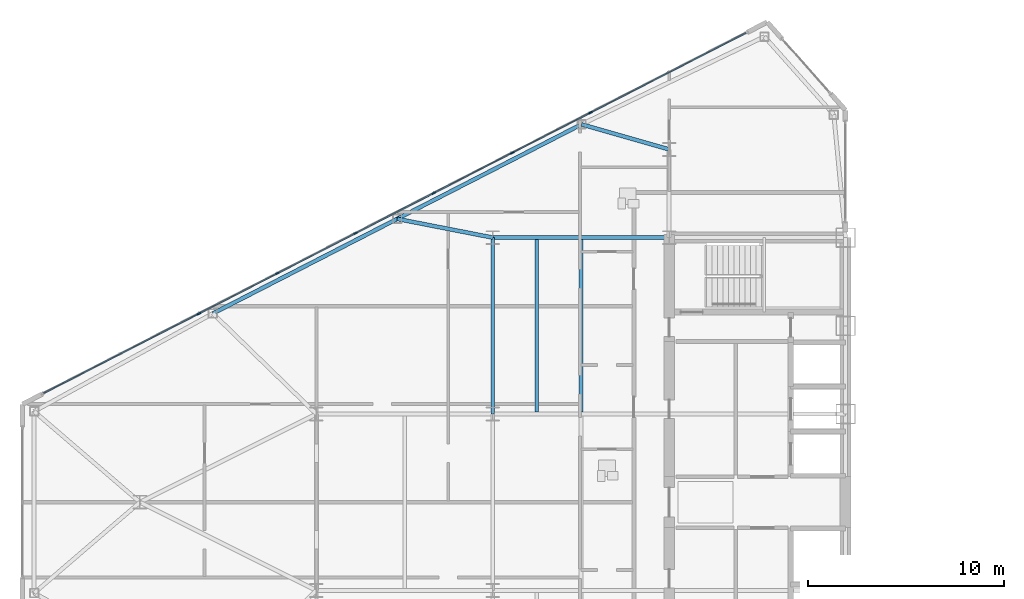
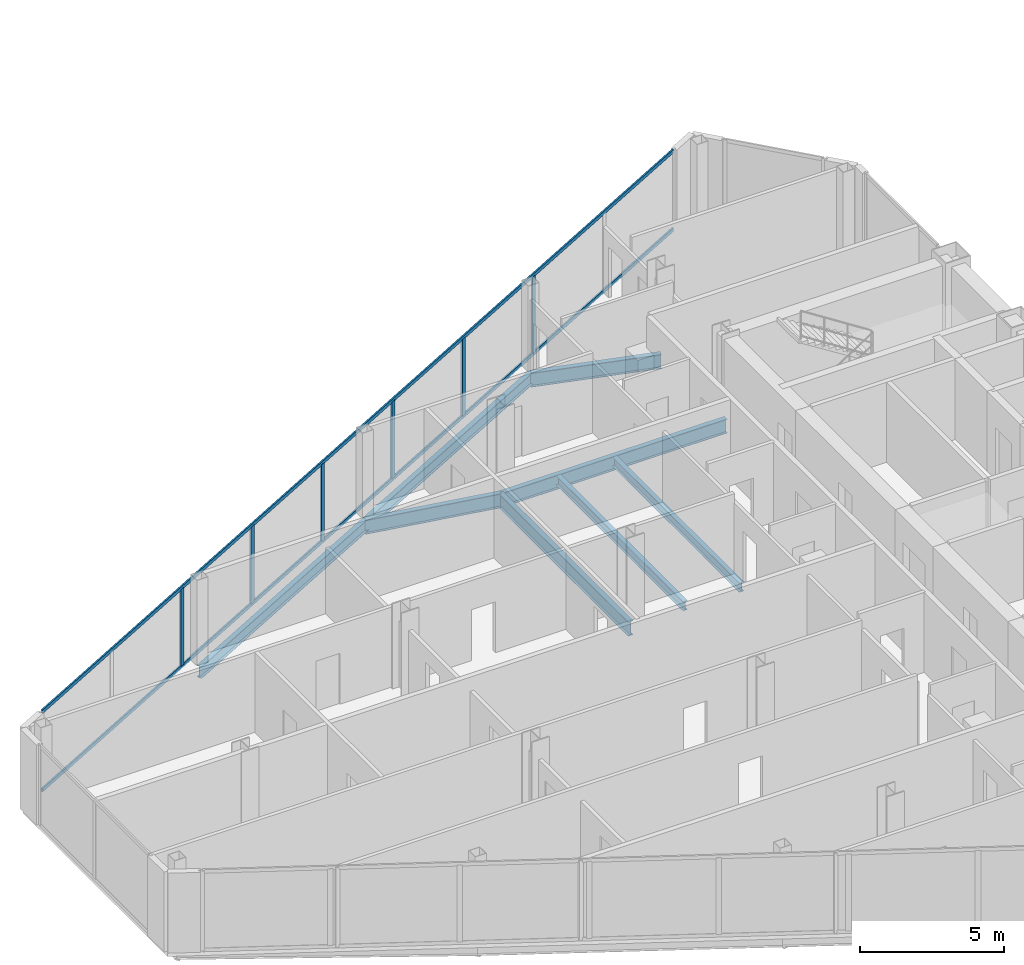
# One storey, part 6 of 24: 8 beams, 8 members, 1 element without a shape of its own.
"""IFC4 building model written with IfcOpenShell, lengths in metres."""

import ifcopenshell
import ifcopenshell.guid

model = None  # the IFC model being written
_history = None  # IfcOwnerHistory: only IFC2X3 demands one
_inside = {}  # id of a spatial element -> (the spatial element, [elements in it])
_under = {}  # id of a project, library or spatial element -> (it, [spatial elements below it])
_declared = {}  # id of a project -> (the project, [libraries it declares])
_typed = {}  # id of a type object -> (the type object, [elements of that type])
_made_of = {}  # id of a material, layer set ... -> (it, [elements and type objects made of it])


def new_model(schema):
    """Start an empty IFC model of exactly this schema.

    Asked for "IFC4X3", IfcOpenShell would pick the latest addendum, in which some entities
    have other attributes; the version numbers below select the first issue.
    IFC2X3 requires an IfcOwnerHistory on every rooted entity: one is made here for all.
    """
    global model, _history
    if schema == "IFC4X3":
        model = ifcopenshell.file(schema_version=(4, 3, 0, 0))
    else:
        model = ifcopenshell.file(schema=schema)
    _inside.clear()
    _under.clear()
    _declared.clear()
    _typed.clear()
    _made_of.clear()
    _history = None
    if model.schema == "IFC2X3":
        org = make("IfcOrganization", Name="unknown")
        user = make(
            "IfcPersonAndOrganization",
            ThePerson=make("IfcPerson", FamilyName="unknown"),
            TheOrganization=org,
        )
        app = make(
            "IfcApplication",
            ApplicationDeveloper=org,
            Version="unknown",
            ApplicationFullName="unknown",
            ApplicationIdentifier="unknown",
        )
        _history = make(
            "IfcOwnerHistory",
            OwningUser=user,
            OwningApplication=app,
            ChangeAction="ADDED",
            CreationDate=0,
        )
    return model


def make(cls, **values):
    """One entity of the class cls with the attributes given. An attribute that is None is left unset."""
    return model.create_entity(
        cls, **{name: value for name, value in values.items() if value is not None}
    )


def rooted(cls, **values):
    """An entity with a GlobalId (a new one), such as an element, a storey or a relation."""
    return make(cls, GlobalId=ifcopenshell.guid.new(), OwnerHistory=_history, **values)


def si_unit(unit_type, name, prefix=None):
    """IfcSIUnit, for example si_unit("LENGTHUNIT", "METRE", prefix="MILLI")."""
    return make("IfcSIUnit", UnitType=unit_type, Prefix=prefix, Name=name)


def assignment(units):
    """IfcUnitAssignment: the units of a project."""
    return None if units is None else make("IfcUnitAssignment", Units=units)


def point(xyz):
    """IfcCartesianPoint."""
    return None if xyz is None else make("IfcCartesianPoint", Coordinates=xyz)


def direction(xyz):
    """IfcDirection."""
    return None if xyz is None else make("IfcDirection", DirectionRatios=xyz)


def frame(location, z_axis=None, x_axis=None):
    """IfcAxis2Placement3D, a coordinate frame: its origin and axes. An axis left out is left unset."""
    return make(
        "IfcAxis2Placement3D",
        Location=point(location),
        Axis=direction(z_axis),
        RefDirection=direction(x_axis),
    )


def frame_2d(location, x_axis=None):
    """IfcAxis2Placement2D, a coordinate frame in the plane: its origin and x axis."""
    return make(
        "IfcAxis2Placement2D", Location=point(location), RefDirection=direction(x_axis)
    )


def origin():
    """The frame at (0, 0, 0) with its axes left unset."""
    return frame((0.0, 0.0, 0.0))


def origin_2d():
    """The frame at (0, 0) in the plane with its x axis left unset."""
    return frame_2d((0.0, 0.0))


def place(relative_to, where):
    """IfcLocalPlacement: puts the frame where relative to a parent placement (None: the world)."""
    return make(
        "IfcLocalPlacement", PlacementRelTo=relative_to, RelativePlacement=where
    )


def context(
    kind, dimensions, precision=None, world=None, true_north=None, identifier=None
):
    """IfcGeometricRepresentationContext, for example the 3D "Model" context."""
    return make(
        "IfcGeometricRepresentationContext",
        ContextIdentifier=identifier,
        ContextType=kind,
        CoordinateSpaceDimension=dimensions,
        Precision=precision,
        WorldCoordinateSystem=world,
        TrueNorth=true_north,
    )


def subcontext(parent, identifier, kind, view, scale=None):
    """IfcGeometricRepresentationSubContext, for example "Body" below "Model"."""
    return make(
        "IfcGeometricRepresentationSubContext",
        ContextIdentifier=identifier,
        ContextType=kind,
        ParentContext=parent,
        TargetScale=scale,
        TargetView=view,
    )


def project(units=None, contexts=None):
    """IfcProject with its units and contexts."""
    return rooted(
        "IfcProject",
        Name="project",
        RepresentationContexts=contexts,
        UnitsInContext=assignment(units),
    )


def spatial(cls, under=None, at=None, **own):
    """A site, building, storey or space (cls), placed at a placement, below another one or the project."""
    s = rooted(cls, ObjectPlacement=at, **own)
    if under is not None:
        _under.setdefault(under.id(), (under, []))[1].append(s)
    return s


def profile(cls, at=None, kind="AREA", **sizes):
    """A parametric profile (cls). Its sizes go by their IFC names, for example OverallWidth=200.0."""
    return make(cls, ProfileType=kind, Position=at, **sizes)


def rectangle(**sizes):
    """IfcRectangleProfileDef."""
    return profile("IfcRectangleProfileDef", **sizes)


def i_section(**sizes):
    """IfcIShapeProfileDef."""
    return profile("IfcIShapeProfileDef", **sizes)


def extrude(swept, where, along, depth):
    """IfcExtrudedAreaSolid: the profile swept, set in the frame where, extruded along a direction by depth."""
    return make(
        "IfcExtrudedAreaSolid",
        SweptArea=swept,
        Position=where,
        ExtrudedDirection=direction(along),
        Depth=depth,
    )


def shape(context_of_items, identifier, shape_type, items):
    """IfcShapeRepresentation: the items that make up one representation, for example the "Body"."""
    return make(
        "IfcShapeRepresentation",
        ContextOfItems=context_of_items,
        RepresentationIdentifier=identifier,
        RepresentationType=shape_type,
        Items=items,
    )


def source(mapping_origin, context_of_items, identifier, shape_type, items):
    """IfcRepresentationMap: a shape defined once, which mapped items show again and again."""
    return make(
        "IfcRepresentationMap",
        MappingOrigin=mapping_origin,
        MappedRepresentation=shape(context_of_items, identifier, shape_type, items),
    )


def transform(
    local_origin,
    x_axis=None,
    y_axis=None,
    z_axis=None,
    scale=None,
    scale2=None,
    scale3=None,
    uniform=True,
):
    """IfcCartesianTransformationOperator3D, or its non-uniform kind. x_axis, y_axis, z_axis: its Axis1, 2, 3."""
    if uniform:
        return make(
            "IfcCartesianTransformationOperator3D",
            Axis1=direction(x_axis),
            Axis2=direction(y_axis),
            LocalOrigin=point(local_origin),
            Scale=scale,
            Axis3=direction(z_axis),
        )
    return make(
        "IfcCartesianTransformationOperator3DnonUniform",
        Axis1=direction(x_axis),
        Axis2=direction(y_axis),
        LocalOrigin=point(local_origin),
        Scale=scale,
        Axis3=direction(z_axis),
        Scale2=scale2,
        Scale3=scale3,
    )


def mapped(mapping_source, mapping_target):
    """IfcMappedItem: shows the shape of a source again, moved by a transform."""
    return make(
        "IfcMappedItem", MappingSource=mapping_source, MappingTarget=mapping_target
    )


def material(Name=None, Category=None):
    """IfcMaterial."""
    return make("IfcMaterial", Name=Name, Category=Category)


def layer(
    of_material, thickness, ventilated=None, Name=None, Category=None, Priority=None
):
    """IfcMaterialLayer: one layer of a wall or slab, of a material (None: an air gap)."""
    return make(
        "IfcMaterialLayer",
        Material=of_material,
        LayerThickness=thickness,
        IsVentilated=ventilated,
        Name=Name,
        Category=Category,
        Priority=Priority,
    )


def layer_set(layers, Name=None):
    """IfcMaterialLayerSet."""
    return make("IfcMaterialLayerSet", MaterialLayers=layers, LayerSetName=Name)


def material_profile(
    of_material, cross_section, Name=None, Category=None, Priority=None
):
    """IfcMaterialProfile: a cross section and its material."""
    return make(
        "IfcMaterialProfile",
        Name=Name,
        Material=of_material,
        Profile=cross_section,
        Priority=Priority,
        Category=Category,
    )


def profile_set(profiles, Name=None, composite=None):
    """IfcMaterialProfileSet."""
    return make(
        "IfcMaterialProfileSet",
        Name=Name,
        MaterialProfiles=profiles,
        CompositeProfile=composite,
    )


def made_of(thing, what):
    """Note that an element or type object is made of a material, layer set ...; save() writes the relation."""
    if what is not None:
        _made_of.setdefault(what.id(), (what, []))[1].append(thing)
    return thing


def type_object(cls, material=None, **own):
    """A type object (cls), such as IfcWallType, which elements share."""
    return made_of(rooted(cls, **own), material)


def type_shapes(of_type, sources):
    """Give a type object the sources (RepresentationMaps) that its elements show as mapped items."""
    of_type.RepresentationMaps = sources


def element(
    cls,
    number,
    at=None,
    inside=None,
    cuts=None,
    type_object=None,
    material=None,
    context=None,
    identifier="Body",
    shape_type=None,
    held_by="IfcProductDefinitionShape",
    body=None,
    shapes=None,
    **own,
):
    """One element of the class cls, such as IfcWall. Its Tag is "e" and its number.

    at: its placement. inside: the storey or other place that contains it. cuts: it is an
    opening in that element (IfcRelVoidsElement). A single representation is given by context,
    identifier, shape_type and body (its items); several are given by shapes. held_by: the class
    of the entity that holds the representations. save() writes the other relations.
    """
    e = rooted(cls, Tag="e%d" % number, ObjectPlacement=at, **own)
    if body is not None:
        shapes = [shape(context, identifier, shape_type, body)]
    if shapes is not None:
        e.Representation = make(held_by, Representations=shapes)
    if inside is not None:
        _inside.setdefault(inside.id(), (inside, []))[1].append(e)
    if cuts is not None:
        rooted(
            "IfcRelVoidsElement", RelatingBuildingElement=cuts, RelatedOpeningElement=e
        )
    if type_object is not None:
        _typed.setdefault(type_object.id(), (type_object, []))[1].append(e)
    return made_of(e, material)


def aggregate(whole, parts):
    """IfcRelAggregates: a whole, such as a stair, and the parts it consists of."""
    return rooted("IfcRelAggregates", RelatingObject=whole, RelatedObjects=parts)


def save(model, path):
    """Write the relations noted so far, then the file.

    IfcRelAggregates (storeys below a building ...), IfcRelContainedInSpatialStructure (elements
    in a storey), IfcRelDefinesByType, IfcRelAssociatesMaterial and IfcRelDeclares: one each for
    every whole, place, type object, material and project.
    """
    for whole, parts in _under.values():
        aggregate(whole, parts)
    for where, things in _inside.values():
        rooted(
            "IfcRelContainedInSpatialStructure",
            RelatedElements=things,
            RelatingStructure=where,
        )
    for kind, things in _typed.values():
        rooted("IfcRelDefinesByType", RelatedObjects=things, RelatingType=kind)
    for what, things in _made_of.values():
        rooted("IfcRelAssociatesMaterial", RelatedObjects=things, RelatingMaterial=what)
    for by, libraries in _declared.values():
        rooted("IfcRelDeclares", RelatingContext=by, RelatedDefinitions=libraries)
    model.write(path)


model = new_model("IFC4")

# Units and contexts
model_context = context("Model", 3, precision=1e-05, world=origin(), true_north=direction((0.0, 1.0)))
body_context = subcontext(model_context, "Body", "Model", "MODEL_VIEW")
ifc_project = project(units=[si_unit("LENGTHUNIT", "METRE"), si_unit("AREAUNIT", "SQUARE_METRE"), si_unit("VOLUMEUNIT", "CUBIC_METRE"), si_unit("PLANEANGLEUNIT", "RADIAN"), si_unit("MASSUNIT", "GRAM", prefix="KILO")], contexts=[model_context])

# Site, building, storey
site_placement = place(None, origin())
site = spatial("IfcSite", under=ifc_project, at=site_placement, CompositionType="ELEMENT")
building_placement = place(site_placement, origin())
building = spatial("IfcBuilding", under=site, at=building_placement, Name="Seokmaru Belvedere", CompositionType="ELEMENT")
storey_placement = place(building_placement, frame((0.0, 0.0, 140.39990234375)))
storey = spatial("IfcBuildingStorey", under=building, at=storey_placement, Name="L37", CompositionType="ELEMENT", Elevation=140.39990234375)

# Beams
ifc_material_1 = material(Name="Steel SM355 (355 MPa)", Category="steel")
ifc_material_profile_1 = material_profile(ifc_material_1, i_section(OverallWidth=0.199951171875, OverallDepth=0.60009765625, WebThickness=0.010986328125, FlangeThickness=0.01708984375, at=origin_2d()), Name="H-600x200x11x17")
ifc_profile_set_1 = profile_set([ifc_material_profile_1], Name="Steel SM355 (355 MPa)")
beam_type_1 = type_object("IfcBeamType", Name="Primary Floor Girder H-600", PredefinedType="BEAM", material=ifc_profile_set_1)
shared_shape_1 = source(origin(), body_context, "Body", "SweptSolid", [
    extrude(i_section(OverallWidth=0.199951171875, OverallDepth=0.60009765625, WebThickness=0.010986328125, FlangeThickness=0.01708984375, at=origin_2d()), origin(), (0.0, 0.0, 1.0), 9.0),
])
for number, where, z_axis, x_axis, name in (
    (1, (-45.5, 4.5, -0.52001953125), (0.0, 1.0, 0.0), (-1.0, 0.0, 0.0), "L37 W Interior Grid Girder 3"),
    (2, (-45.5, 13.5, -0.52001953125), (1.0, 0.0, 0.0), (0.0, 1.0, 0.0), "L37 W Wing Primary Girder 4"),
):
    element("IfcBeam", number, at=place(storey_placement, frame(where, z_axis=z_axis, x_axis=x_axis)), inside=storey, type_object=beam_type_1, Name=name, PredefinedType="BEAM", context=body_context, shape_type="MappedRepresentation", body=[
        mapped(shared_shape_1, transform((0.0, 0.0, 0.0), scale=1.0)),
    ])
ifc_material_profile_2 = material_profile(ifc_material_1, i_section(OverallWidth=0.18505859375, OverallDepth=0.389892578125, WebThickness=0.008056640625, FlangeThickness=0.011962890625, at=origin_2d()), Name="H-390x185x8x12")
ifc_profile_set_2 = profile_set([ifc_material_profile_2], Name="Steel SM355 (355 MPa)")
beam_type_2 = type_object("IfcBeamType", Name="Secondary Floor Joist H-350", PredefinedType="JOIST", material=ifc_profile_set_2)
shared_shape_2 = source(origin(), body_context, "Body", "SweptSolid", [
    extrude(i_section(OverallWidth=0.18505859375, OverallDepth=0.389892578125, WebThickness=0.008056640625, FlangeThickness=0.011962890625, at=origin_2d()), origin(), (0.0, 0.0, 1.0), 8.7900390625),
])
type_shapes(beam_type_2, [shared_shape_2])
for number, where, z_axis, x_axis, name in (
    (3, (-43.25, 4.60498046875, -0.414794921875), (0.0, 1.0, 0.0), (-1.0, 0.0, 0.0), "L37 W Wing Inner Secondary Joist 2"),
    (4, (-41.0, 4.60498046875, -0.414794921875), (0.0, 1.0, 0.0), (-1.0, 0.0, 0.0), "L37 W Secondary Floor Joist 3"),
):
    element("IfcBeam", number, at=place(storey_placement, frame(where, z_axis=z_axis, x_axis=x_axis)), inside=storey, type_object=beam_type_2, Name=name, PredefinedType="JOIST", context=body_context, shape_type="MappedRepresentation", body=[
        mapped(shared_shape_2, transform((0.0, 0.0, 0.0), scale=1.0)),
    ])
ifc_material_profile_3 = material_profile(ifc_material_1, i_section(OverallWidth=0.199951171875, OverallDepth=0.5, WebThickness=0.010009765625, FlangeThickness=0.01611328125, at=origin_2d()), Name="H-500x200x10x16")
ifc_profile_set_3 = profile_set([ifc_material_profile_3], Name="Steel SM355 (355 MPa)")
beam_type_3 = type_object("IfcBeamType", Name="Perimeter Spandrel Beam H-500", PredefinedType="SPANDREL", material=ifc_profile_set_3)
shared_shape_3 = source(origin(), body_context, "Body", "SweptSolid", [
    extrude(i_section(OverallWidth=0.199951171875, OverallDepth=0.5, WebThickness=0.010009765625, FlangeThickness=0.01611328125, at=origin_2d()), origin(), (0.0, 0.0, 1.0), 10.56689453125),
])
type_shapes(beam_type_3, [shared_shape_3])
for number, where, z_axis, x_axis, name in (
    (5, (-40.975830078125, 19.277587890625, -0.469970703125), (-0.889701972758, -0.45654178305, 0.0), (0.45654178305, -0.889701972758, 0.0), "L37 W Faceted Flank Spandrel N-2"),
    (6, (-50.377197265625, 14.453369140625, -0.469970703125), (-0.889692588006, -0.456560071455, 0.0), (0.456560071455, -0.889692588006, 0.0), "L37 W Faceted Flank Spandrel N-3"),
):
    element("IfcBeam", number, at=place(storey_placement, frame(where, z_axis=z_axis, x_axis=x_axis)), inside=storey, type_object=beam_type_3, Name=name, PredefinedType="SPANDREL", context=body_context, shape_type="MappedRepresentation", body=[
        mapped(shared_shape_3, transform((0.0, 0.0, 0.0), scale=1.0)),
    ])
shared_shape_4 = source(origin(), body_context, "Body", "SweptSolid", [
    extrude(i_section(OverallWidth=0.199951171875, OverallDepth=0.60009765625, WebThickness=0.010986328125, FlangeThickness=0.01708984375, at=origin_2d()), origin(), (0.0, 0.0, 1.0), 4.654541015625),
])
beam_1_placement = place(storey_placement, frame((-40.975830078125, 19.277587890625, -0.52001953125), z_axis=(0.961593192625, -0.274478654721, 0.0), x_axis=(0.274478654721, 0.961593192625, 0.0)))
element("IfcBeam", 7, at=beam_1_placement, inside=storey, type_object=beam_type_1, Name="L37 W Flank Radial Floor Girder N-1", PredefinedType="BEAM", context=body_context, shape_type="MappedRepresentation", body=[
    mapped(shared_shape_4, transform((0.0, 0.0, 0.0), scale=1.0)),
])
shared_shape_5 = source(origin(), body_context, "Body", "SweptSolid", [
    extrude(i_section(OverallWidth=0.199951171875, OverallDepth=0.60009765625, WebThickness=0.010986328125, FlangeThickness=0.01708984375, at=origin_2d()), origin(), (0.0, 0.0, 1.0), 4.969482421875),
])
type_shapes(beam_type_1, [shared_shape_1, shared_shape_4, shared_shape_5])
beam_2_placement = place(storey_placement, frame((-50.377197265625, 14.453369140625, -0.52001953125), z_axis=(0.98142544456, -0.19184393858, 0.0), x_axis=(0.19184393858, 0.98142544456, 0.0)))
element("IfcBeam", 8, at=beam_2_placement, inside=storey, type_object=beam_type_1, Name="L37 W Flank Radial Floor Girder N-2", PredefinedType="BEAM", context=body_context, shape_type="MappedRepresentation", body=[
    mapped(shared_shape_5, transform((0.0, 0.0, 0.0), scale=1.0)),
])

# Curtain wall, members
ifc_material_2 = material(Name="Bronze Triple Insulating Glass", Category="glass")
ifc_layer = layer(ifc_material_2, 0.195068359375)
ifc_layer_set = layer_set([ifc_layer], Name="Bronze Triple Insulating Glass")
curtain_wall_type = type_object("IfcCurtainWallType", Name="Sky-Lobby and Mid-Rise Curtain Wall System CW-4", PredefinedType="NOTDEFINED", material=ifc_layer_set)
curtain_wall_placement = place(storey_placement, origin())
curtain_wall = element("IfcCurtainWall", 9, at=curtain_wall_placement, inside=storey, type_object=curtain_wall_type, Name="L37 Curtain Wall WF3", PredefinedType="NOTDEFINED")
ifc_material_3 = material(Name="Anodised Bronze Aluminium", Category="aluminium")
ifc_material_profile_4 = material_profile(ifc_material_3, rectangle(XDim=0.070068359375, YDim=0.195068359375, at=origin_2d()), Name="CW-M-70x195")
ifc_profile_set_4 = profile_set([ifc_material_profile_4], Name="Anodised Bronze Aluminium")
member_type_1 = type_object("IfcMemberType", Name="Bronze Unitised Mullion 70x195", PredefinedType="MULLION", material=ifc_profile_set_4)
shared_shape_6 = source(origin(), body_context, "Body", "SweptSolid", [
    extrude(rectangle(XDim=0.070068359375, YDim=0.195068359375, at=origin_2d()), origin(), (0.0, 0.0, 1.0), 3.25),
])
type_shapes(member_type_1, [shared_shape_6])
member_1_placement = place(storey_placement, frame((-40.5126953125, 19.875, 0.065185546875), z_axis=(0.0, 0.0, 1.0), x_axis=(0.456554528263, -0.889695432562, 0.0)))
member_1 = element("IfcMember", 10, at=member_1_placement, type_object=member_type_1, Name="CW:L37:WF3 Mullion 3", PredefinedType="MULLION", context=body_context, shape_type="MappedRepresentation", body=[
    mapped(shared_shape_6, transform((0.0, 0.0, 0.0), scale=1.0)),
])
member_2_placement = place(storey_placement, frame((-44.5078125, 17.824951171875, 0.065185546875), z_axis=(0.0, 0.0, 1.0), x_axis=(0.456554528263, -0.889695432562, 0.0)))
member_2 = element("IfcMember", 11, at=member_2_placement, type_object=member_type_1, Name="CW:L37:WF3 Mullion 4", PredefinedType="MULLION", context=body_context, shape_type="MappedRepresentation", body=[
    mapped(shared_shape_6, transform((0.0, 0.0, 0.0), scale=1.0)),
])
member_3_placement = place(storey_placement, frame((-48.502685546875, 15.77490234375, 0.065185546875), z_axis=(0.0, 0.0, 1.0), x_axis=(0.456554528263, -0.889695432562, 0.0)))
member_3 = element("IfcMember", 12, at=member_3_placement, type_object=member_type_1, Name="CW:L37:WF3 Mullion 5", PredefinedType="MULLION", context=body_context, shape_type="MappedRepresentation", body=[
    mapped(shared_shape_6, transform((0.0, 0.0, 0.0), scale=1.0)),
])
member_4_placement = place(storey_placement, frame((-52.497314453125, 13.72509765625, 0.065185546875), z_axis=(0.0, 0.0, 1.0), x_axis=(0.456554528263, -0.889695432562, 0.0)))
member_4 = element("IfcMember", 13, at=member_4_placement, type_object=member_type_1, Name="CW:L37:WF3 Mullion 6", PredefinedType="MULLION", context=body_context, shape_type="MappedRepresentation", body=[
    mapped(shared_shape_6, transform((0.0, 0.0, 0.0), scale=1.0)),
])
member_5_placement = place(storey_placement, frame((-56.4921875, 11.675048828125, 0.065185546875), z_axis=(0.0, 0.0, 1.0), x_axis=(0.456554528263, -0.889695432562, 0.0)))
member_5 = element("IfcMember", 14, at=member_5_placement, type_object=member_type_1, Name="CW:L37:WF3 Mullion 7", PredefinedType="MULLION", context=body_context, shape_type="MappedRepresentation", body=[
    mapped(shared_shape_6, transform((0.0, 0.0, 0.0), scale=1.0)),
])
member_6_placement = place(storey_placement, frame((-60.4873046875, 9.625, 0.065185546875), z_axis=(0.0, 0.0, 1.0), x_axis=(0.456554528263, -0.889695432562, 0.0)))
member_6 = element("IfcMember", 15, at=member_6_placement, type_object=member_type_1, Name="CW:L37:WF3 Mullion 8", PredefinedType="MULLION", context=body_context, shape_type="MappedRepresentation", body=[
    mapped(shared_shape_6, transform((0.0, 0.0, 0.0), scale=1.0)),
])
ifc_material_profile_5 = material_profile(ifc_material_3, rectangle(XDim=0.06494140625, YDim=0.14990234375, at=origin_2d()), Name="CW-T-65x150")
ifc_profile_set_5 = profile_set([ifc_material_profile_5], Name="Anodised Bronze Aluminium")
member_type_2 = type_object("IfcMemberType", Name="Bronze Unitised Transom 65x150", PredefinedType="USERDEFINED", material=ifc_profile_set_5)
shared_shape_7 = source(origin(), body_context, "Body", "SweptSolid", [
    extrude(rectangle(XDim=0.06494140625, YDim=0.14990234375, at=origin_2d()), origin(), (0.0, 0.0, 1.0), 40.271240234375),
])
type_shapes(member_type_2, [shared_shape_7])
member_7_placement = place(storey_placement, frame((-32.58544921875, 23.943115234375, 0.03271484375), z_axis=(-0.889693089107, -0.456559094965, 0.0), x_axis=(0.456559094965, -0.889693089107, 0.0)))
member_7 = element("IfcMember", 16, at=member_7_placement, type_object=member_type_2, Name="CW:L37:WF3 Continuous Transom 1", ObjectType="TRANSOM", PredefinedType="USERDEFINED", context=body_context, shape_type="MappedRepresentation", body=[
    mapped(shared_shape_7, transform((0.0, 0.0, 0.0), scale=1.0)),
])
member_8_placement = place(storey_placement, frame((-32.58544921875, 23.943115234375, 3.34765625), z_axis=(-0.889693089107, -0.456559094965, 0.0), x_axis=(0.456559094965, -0.889693089107, 0.0)))
member_8 = element("IfcMember", 17, at=member_8_placement, type_object=member_type_2, Name="CW:L37:WF3 Continuous Transom 2", ObjectType="TRANSOM", PredefinedType="USERDEFINED", context=body_context, shape_type="MappedRepresentation", body=[
    mapped(shared_shape_7, transform((0.0, 0.0, 0.0), scale=1.0)),
])
aggregate(curtain_wall, [member_1, member_2, member_3, member_4, member_5, member_6, member_7, member_8])

save(model, "model.ifc")
